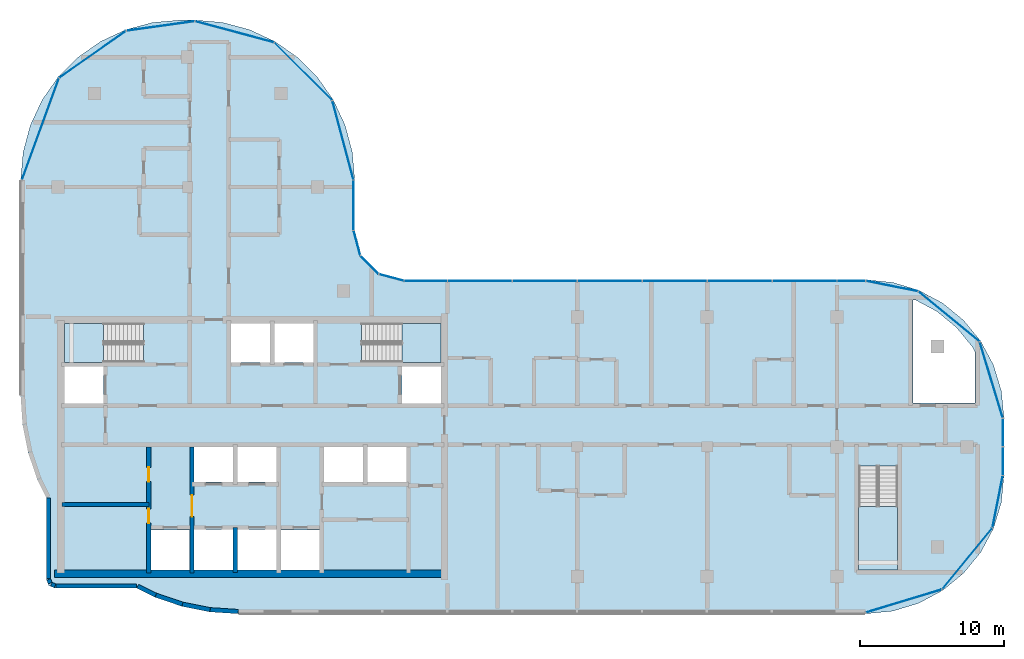
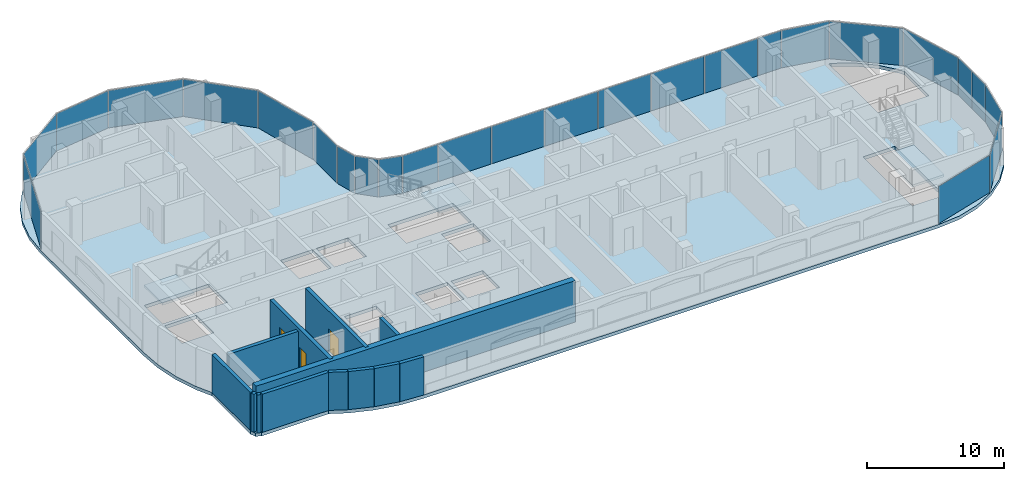
# One storey, part 8 of 18: 26 plates, 13 walls, 4 slabs, 3 doors, 3 openings, 10 elements without a shape of their own.
"""IFC4 building model written with IfcOpenShell, lengths in metres."""

from ifc_helpers import new_model, si_unit, direction, frame, frame_2d, origin, origin_2d, place, context, subcontext, project, spatial, polyline, rectangle, outline, extrude, material, layer, layer_set, type_object, element, fill, aggregate, save


model = new_model("IFC4")

# Units and contexts
model_context = context("Model", 3, precision=1e-05, world=origin(), true_north=direction((0.0, 1.0)))
body_context = subcontext(model_context, "Body", "Model", "MODEL_VIEW")
ifc_project = project(units=[si_unit("LENGTHUNIT", "METRE"), si_unit("AREAUNIT", "SQUARE_METRE"), si_unit("VOLUMEUNIT", "CUBIC_METRE"), si_unit("PLANEANGLEUNIT", "RADIAN"), si_unit("MASSUNIT", "GRAM", prefix="KILO")], contexts=[model_context])

# Site, building, storey
site_placement = place(None, origin())
site = spatial("IfcSite", under=ifc_project, at=site_placement, CompositionType="ELEMENT")
building_placement = place(site_placement, origin())
building = spatial("IfcBuilding", under=site, at=building_placement, Name="Ogive Portal Towers", CompositionType="ELEMENT")
storey_placement = place(building_placement, frame((0.0, 0.0, 240.199951171875)))
storey = spatial("IfcBuildingStorey", under=building, at=storey_placement, Name="L60", CompositionType="ELEMENT", Elevation=240.199951171875)

# Curtain wall, plates
ifc_material_1 = material(Name="Glass, clear low-iron insulated glazing", Category="glass")
curtain_wall_type = type_object("IfcCurtainWallType", Name="CW FRONT RIBBON 4500", PredefinedType="NOTDEFINED", material=ifc_material_1)
curtain_wall_1_placement = place(storey_placement, origin())
curtain_wall_1 = element("IfcCurtainWall", 1, at=curtain_wall_1_placement, inside=storey, type_object=curtain_wall_type, Name="A:L60:f12:cw0", PredefinedType="NOTDEFINED")
ifc_layer_1 = layer(ifc_material_1, 0.028076171875)
ifc_layer_set_1 = layer_set([ifc_layer_1], Name="CW PANEL IGU 28")
plate_type = type_object("IfcPlateType", Name="CW PANEL IGU 28", PredefinedType="CURTAIN_PANEL", material=ifc_layer_set_1)
plate_1_placement = place(storey_placement, frame((96.9951171875, 29.50390625, 0.0), z_axis=(0.0, 0.0, 1.0), x_axis=(0.0, 1.0, 0.0)))
plate_1 = element("IfcPlate", 2, at=plate_1_placement, type_object=plate_type, Name="panel", PredefinedType="CURTAIN_PANEL", context=body_context, shape_type="SweptSolid", body=[
    extrude(rectangle(XDim=1.93212890625, YDim=0.028076171875, at=origin_2d()), origin(), (0.0, 0.0, 1.0), 3.340087890625),
])
plate_2_placement = place(storey_placement, frame((96.9951171875, 31.494140625, 0.0), z_axis=(0.0, 0.0, 1.0), x_axis=(0.0, 1.0, 0.0)))
plate_2 = element("IfcPlate", 3, at=plate_2_placement, type_object=plate_type, Name="panel", PredefinedType="CURTAIN_PANEL", context=body_context, shape_type="SweptSolid", body=[
    extrude(rectangle(XDim=1.92822265625, YDim=0.028076171875, at=origin_2d()), origin(), (0.0, 0.0, 1.0), 3.340087890625),
])
aggregate(curtain_wall_1, [plate_1, plate_2])

curtain_wall_2_placement = place(storey_placement, origin())
curtain_wall_2 = element("IfcCurtainWall", 4, at=curtain_wall_2_placement, inside=storey, type_object=curtain_wall_type, Name="A:L60:f16:cw0", PredefinedType="NOTDEFINED")
plate_3_placement = place(storey_placement, frame((86.49609375, 41.9951171875, 0.0), z_axis=(0.0, 0.0, 1.0), x_axis=(-1.0, 0.0, 0.0)))
plate_3 = element("IfcPlate", 5, at=plate_3_placement, type_object=plate_type, Name="panel", PredefinedType="CURTAIN_PANEL", context=body_context, shape_type="SweptSolid", body=[
    extrude(rectangle(XDim=1.93212890625, YDim=0.028076171875, at=origin_2d()), origin(), (0.0, 0.0, 1.0), 3.340087890625),
])
plate_4_placement = place(storey_placement, frame((83.25, 41.9951171875, 0.0), z_axis=(0.0, 0.0, 1.0), x_axis=(-1.0, 0.0, 0.0)))
plate_4 = element("IfcPlate", 6, at=plate_4_placement, type_object=plate_type, Name="panel", PredefinedType="CURTAIN_PANEL", context=body_context, shape_type="SweptSolid", body=[
    extrude(rectangle(XDim=4.43994140625, YDim=0.028076171875, at=origin_2d()), origin(), (0.0, 0.0, 1.0), 3.340087890625),
])
plate_5_placement = place(storey_placement, frame((78.75, 41.9951171875, 0.0), z_axis=(0.0, 0.0, 1.0), x_axis=(-1.0, 0.0, 0.0)))
plate_5 = element("IfcPlate", 7, at=plate_5_placement, type_object=plate_type, Name="panel", PredefinedType="CURTAIN_PANEL", context=body_context, shape_type="SweptSolid", body=[
    extrude(rectangle(XDim=4.43994140625, YDim=0.028076171875, at=origin_2d()), origin(), (0.0, 0.0, 1.0), 3.340087890625),
])
plate_6_placement = place(storey_placement, frame((74.25, 41.9951171875, 0.0), z_axis=(0.0, 0.0, 1.0), x_axis=(-1.0, 0.0, 0.0)))
plate_6 = element("IfcPlate", 8, at=plate_6_placement, type_object=plate_type, Name="panel", PredefinedType="CURTAIN_PANEL", context=body_context, shape_type="SweptSolid", body=[
    extrude(rectangle(XDim=4.43994140625, YDim=0.028076171875, at=origin_2d()), origin(), (0.0, 0.0, 1.0), 3.340087890625),
])
plate_7_placement = place(storey_placement, frame((69.75, 41.9951171875, 0.0), z_axis=(0.0, 0.0, 1.0), x_axis=(-1.0, 0.0, 0.0)))
plate_7 = element("IfcPlate", 9, at=plate_7_placement, type_object=plate_type, Name="panel", PredefinedType="CURTAIN_PANEL", context=body_context, shape_type="SweptSolid", body=[
    extrude(rectangle(XDim=4.43994140625, YDim=0.028076171875, at=origin_2d()), origin(), (0.0, 0.0, 1.0), 3.340087890625),
])
plate_8_placement = place(storey_placement, frame((65.25, 41.9951171875, 0.0), z_axis=(0.0, 0.0, 1.0), x_axis=(-1.0, 0.0, 0.0)))
plate_8 = element("IfcPlate", 10, at=plate_8_placement, type_object=plate_type, Name="panel", PredefinedType="CURTAIN_PANEL", context=body_context, shape_type="SweptSolid", body=[
    extrude(rectangle(XDim=4.43994140625, YDim=0.028076171875, at=origin_2d()), origin(), (0.0, 0.0, 1.0), 3.340087890625),
])
plate_9_placement = place(storey_placement, frame((60.75, 41.9951171875, 0.0), z_axis=(0.0, 0.0, 1.0), x_axis=(-1.0, 0.0, 0.0)))
plate_9 = element("IfcPlate", 11, at=plate_9_placement, type_object=plate_type, Name="panel", PredefinedType="CURTAIN_PANEL", context=body_context, shape_type="SweptSolid", body=[
    extrude(rectangle(XDim=4.43994140625, YDim=0.028076171875, at=origin_2d()), origin(), (0.0, 0.0, 1.0), 3.340087890625),
])
plate_10_placement = place(storey_placement, frame((56.99462890625, 41.9951171875, 0.0), z_axis=(0.0, 0.0, 1.0), x_axis=(-1.0, 0.0, 0.0)))
plate_10 = element("IfcPlate", 12, at=plate_10_placement, type_object=plate_type, Name="panel", PredefinedType="CURTAIN_PANEL", context=body_context, shape_type="SweptSolid", body=[
    extrude(rectangle(XDim=2.950439453125, YDim=0.028076171875, at=origin_2d()), origin(), (0.0, 0.0, 1.0), 3.340087890625),
])
aggregate(curtain_wall_2, [plate_3, plate_4, plate_5, plate_6, plate_7, plate_8, plate_9, plate_10])

# Curtain wall, plate
curtain_wall_3_placement = place(storey_placement, origin())
curtain_wall_3 = element("IfcCurtainWall", 13, at=curtain_wall_3_placement, inside=storey, type_object=curtain_wall_type, Name="A:L60:f20:cw0", PredefinedType="NOTDEFINED")
plate_11_placement = place(storey_placement, frame((51.9951171875, 47.239501953125, 0.0), z_axis=(0.0, 0.0, 1.0), x_axis=(0.0, 1.0, 0.0)))
plate_11 = element("IfcPlate", 14, at=plate_11_placement, type_object=plate_type, Name="panel", PredefinedType="CURTAIN_PANEL", context=body_context, shape_type="SweptSolid", body=[
    extrude(rectangle(XDim=3.43994140625, YDim=0.028076171875, at=origin_2d()), origin(), (0.0, 0.0, 1.0), 3.340087890625),
])
aggregate(curtain_wall_3, [plate_11])

# Curtain wall, plates
curtain_wall_4_placement = place(storey_placement, origin())
curtain_wall_4 = element("IfcCurtainWall", 15, at=curtain_wall_4_placement, inside=storey, type_object=curtain_wall_type, Name="A:L60:f09:cwa", PredefinedType="NOTDEFINED")
plate_12_placement = place(storey_placement, frame((90.130615234375, 19.806640625, 0.0), z_axis=(0.0, 0.0, 1.0), x_axis=(0.956940335732, 0.290284677254, 0.0)))
plate_12 = element("IfcPlate", 16, at=plate_12_placement, type_object=plate_type, Name="panel", PredefinedType="CURTAIN_PANEL", context=body_context, shape_type="SweptSolid", body=[
    extrude(rectangle(XDim=5.462890625, YDim=0.028076171875, at=origin_2d()), origin(), (0.0, 0.0, 1.0), 3.340087890625),
])
plate_13_placement = place(storey_placement, frame((94.5224609375, 22.73974609375, 0.0), z_axis=(0.0, 0.0, 1.0), x_axis=(0.634393284164, 0.773010453363, 0.0)))
plate_13 = element("IfcPlate", 17, at=plate_13_placement, type_object=plate_type, Name="panel", PredefinedType="CURTAIN_PANEL", context=body_context, shape_type="SweptSolid", body=[
    extrude(rectangle(XDim=5.45458984375, YDim=0.028076171875, at=origin_2d()), origin(), (0.0, 0.0, 1.0), 3.340087890625),
])
plate_14_placement = place(storey_placement, frame((96.63330078125, 26.689453125, 0.0), z_axis=(0.0, 0.0, 1.0), x_axis=(0.195090322016, 0.980785280403, 0.0)))
plate_14 = element("IfcPlate", 18, at=plate_14_placement, type_object=plate_type, Name="panel", PredefinedType="CURTAIN_PANEL", context=body_context, shape_type="SweptSolid", body=[
    extrude(rectangle(XDim=3.64794921875, YDim=0.028076171875, at=origin_2d()), origin(), (0.0, 0.0, 1.0), 3.340087890625),
])
aggregate(curtain_wall_4, [plate_12, plate_13, plate_14])

curtain_wall_5_placement = place(storey_placement, origin())
curtain_wall_5 = element("IfcCurtainWall", 19, at=curtain_wall_5_placement, inside=storey, type_object=curtain_wall_type, Name="A:L60:f13:cwa", PredefinedType="NOTDEFINED")
plate_15_placement = place(storey_placement, frame((96.193359375, 35.130615234375, 0.0), z_axis=(0.0, 0.0, 1.0), x_axis=(-0.290284677254, 0.956940335732, 0.0)))
plate_15 = element("IfcPlate", 20, at=plate_15_placement, type_object=plate_type, Name="panel", PredefinedType="CURTAIN_PANEL", context=body_context, shape_type="SweptSolid", body=[
    extrude(rectangle(XDim=5.462890625, YDim=0.028076171875, at=origin_2d()), origin(), (0.0, 0.0, 1.0), 3.340087890625),
])
plate_16_placement = place(storey_placement, frame((93.26025390625, 39.5224609375, 0.0), z_axis=(0.0, 0.0, 1.0), x_axis=(-0.773010453363, 0.634393284164, 0.0)))
plate_16 = element("IfcPlate", 21, at=plate_16_placement, type_object=plate_type, Name="panel", PredefinedType="CURTAIN_PANEL", context=body_context, shape_type="SweptSolid", body=[
    extrude(rectangle(XDim=5.45458984375, YDim=0.028076171875, at=origin_2d()), origin(), (0.0, 0.0, 1.0), 3.340087890625),
])
plate_17_placement = place(storey_placement, frame((89.310546875, 41.63330078125, 0.0), z_axis=(0.0, 0.0, 1.0), x_axis=(-0.980785280403, 0.195090322016, 0.0)))
plate_17 = element("IfcPlate", 22, at=plate_17_placement, type_object=plate_type, Name="panel", PredefinedType="CURTAIN_PANEL", context=body_context, shape_type="SweptSolid", body=[
    extrude(rectangle(XDim=3.64794921875, YDim=0.028076171875, at=origin_2d()), origin(), (0.0, 0.0, 1.0), 3.340087890625),
])
aggregate(curtain_wall_5, [plate_15, plate_16, plate_17])

curtain_wall_6_placement = place(storey_placement, origin())
curtain_wall_6 = element("IfcCurtainWall", 23, at=curtain_wall_6_placement, inside=storey, type_object=curtain_wall_type, Name="A:L60:f17:cwa", PredefinedType="NOTDEFINED")
plate_18_placement = place(storey_placement, frame((54.61767578125, 42.228515625, 0.0), z_axis=(0.0, 0.0, 1.0), x_axis=(-0.965925826289, 0.258819045103, 0.0)))
plate_18 = element("IfcPlate", 24, at=plate_18_placement, type_object=plate_type, Name="panel", PredefinedType="CURTAIN_PANEL", context=body_context, shape_type="SweptSolid", body=[
    extrude(rectangle(XDim=1.744873046875, YDim=0.028076171875, at=origin_2d()), origin(), (0.0, 0.0, 1.0), 3.340087890625),
])
plate_19_placement = place(storey_placement, frame((53.10400390625, 43.10400390625, 0.0), z_axis=(0.0, 0.0, 1.0), x_axis=(-0.707106781187, 0.707106781187, 0.0)))
plate_19 = element("IfcPlate", 25, at=plate_19_placement, type_object=plate_type, Name="panel", PredefinedType="CURTAIN_PANEL", context=body_context, shape_type="SweptSolid", body=[
    extrude(rectangle(XDim=1.755859375, YDim=0.028076171875, at=origin_2d()), origin(), (0.0, 0.0, 1.0), 3.340087890625),
])
plate_20_placement = place(storey_placement, frame((52.228515625, 44.61767578125, 0.0), z_axis=(0.0, 0.0, 1.0), x_axis=(-0.258819045103, 0.965925826289, 0.0)))
plate_20 = element("IfcPlate", 26, at=plate_20_placement, type_object=plate_type, Name="panel", PredefinedType="CURTAIN_PANEL", context=body_context, shape_type="SweptSolid", body=[
    extrude(rectangle(XDim=1.744873046875, YDim=0.028076171875, at=origin_2d()), origin(), (0.0, 0.0, 1.0), 3.340087890625),
])
aggregate(curtain_wall_6, [plate_18, plate_19, plate_20])

curtain_wall_7_placement = place(storey_placement, origin())
curtain_wall_7 = element("IfcCurtainWall", 27, at=curtain_wall_7_placement, inside=storey, type_object=curtain_wall_type, Name="A:L60:f21:cwa", PredefinedType="NOTDEFINED")
plate_21_placement = place(storey_placement, frame((51.25732421875, 51.74267578125, 0.0), z_axis=(0.0, 0.0, 1.0), x_axis=(-0.258819045103, 0.965925826289, 0.0)))
plate_21 = element("IfcPlate", 28, at=plate_21_placement, type_object=plate_type, Name="panel", PredefinedType="CURTAIN_PANEL", context=body_context, shape_type="SweptSolid", body=[
    extrude(rectangle(XDim=5.640869140625, YDim=0.028076171875, at=origin_2d()), origin(), (0.0, 0.0, 1.0), 3.340087890625),
])
plate_22_placement = place(storey_placement, frame((48.5078125, 56.5078125, 0.0), z_axis=(0.0, 0.0, 1.0), x_axis=(-0.707106781187, 0.707106781187, 0.0)))
plate_22 = element("IfcPlate", 29, at=plate_22_placement, type_object=plate_type, Name="panel", PredefinedType="CURTAIN_PANEL", context=body_context, shape_type="SweptSolid", body=[
    extrude(rectangle(XDim=5.6298828125, YDim=0.028076171875, at=origin_2d()), origin(), (0.0, 0.0, 1.0), 3.340087890625),
])
plate_23_placement = place(storey_placement, frame((43.74560546875, 59.256591796875, 0.0), z_axis=(0.0, 0.0, 1.0), x_axis=(-0.965925826289, 0.258819045103, 0.0)))
plate_23 = element("IfcPlate", 30, at=plate_23_placement, type_object=plate_type, Name="panel", PredefinedType="CURTAIN_PANEL", context=body_context, shape_type="SweptSolid", body=[
    extrude(rectangle(XDim=5.63525390625, YDim=0.028076171875, at=origin_2d()), origin(), (0.0, 0.0, 1.0), 3.340087890625),
])
plate_24_placement = place(storey_placement, frame((38.61865234375, 59.662109375, 0.0), z_axis=(0.0, 0.0, 1.0), x_axis=(-0.990409738761, -0.138161316467, 0.0)))
plate_24 = element("IfcPlate", 31, at=plate_24_placement, type_object=plate_type, Name="panel", PredefinedType="CURTAIN_PANEL", context=body_context, shape_type="SweptSolid", body=[
    extrude(rectangle(XDim=4.73876953125, YDim=0.028076171875, at=origin_2d()), origin(), (0.0, 0.0, 1.0), 3.340087890625),
])
plate_25_placement = place(storey_placement, frame((33.912353515625, 57.69921875, 0.0), z_axis=(0.0, 0.0, 1.0), x_axis=(-0.819152044289, -0.573576436351, 0.0)))
plate_25 = element("IfcPlate", 32, at=plate_25_placement, type_object=plate_type, Name="panel", PredefinedType="CURTAIN_PANEL", context=body_context, shape_type="SweptSolid", body=[
    extrude(rectangle(XDim=5.62841796875, YDim=0.028076171875, at=origin_2d()), origin(), (0.0, 0.0, 1.0), 3.340087890625),
])
plate_26_placement = place(storey_placement, frame((30.293701171875, 52.52685546875, 0.0), z_axis=(0.0, 0.0, 1.0), x_axis=(-0.342020143326, -0.939692620786, 0.0)))
plate_26 = element("IfcPlate", 33, at=plate_26_placement, type_object=plate_type, Name="panel", PredefinedType="CURTAIN_PANEL", context=body_context, shape_type="SweptSolid", body=[
    extrude(rectangle(XDim=7.476318359375, YDim=0.028076171875, at=origin_2d()), origin(), (0.0, 0.0, 1.0), 3.340087890625),
])
aggregate(curtain_wall_7, [plate_21, plate_22, plate_23, plate_24, plate_25, plate_26])

# Stair, slab
ifc_material_2 = material(Name="Concrete C40/50", Category="concrete")
stair_type = type_object("IfcStairType", Name="INT-STAIR", PredefinedType="HALF_TURN_STAIR", material=ifc_material_2)
stair_1_placement = place(storey_placement, origin())
stair_1 = element("IfcStair", 34, at=stair_1_placement, inside=storey, type_object=stair_type, Name="L60 Exit Stair ST-A1", PredefinedType="HALF_TURN_STAIR")
ifc_layer_2 = layer(ifc_material_2, 0.199951171875)
ifc_layer_set_2 = layer_set([ifc_layer_2], Name="INT-LANDING")
slab_type_1 = type_object("IfcSlabType", Name="INT-LANDING", PredefinedType="LANDING", material=ifc_layer_set_2)
slab_1_placement = place(storey_placement, frame((0.0, 0.0, 1.650146484375)))
slab_1 = element("IfcSlab", 35, at=slab_1_placement, type_object=slab_type_1, Name="ST-A1 landing 1", PredefinedType="LANDING", context=body_context, shape_type="SweptSolid", body=[
    extrude(outline(polyline([(34.64990234375, 39.050048828125), (31.949951171875, 39.050048828125), (31.949951171875, 36.35009765625), (34.64990234375, 36.35009765625), (34.64990234375, 39.050048828125)])), origin(), (0.0, 0.0, 1.0), 0.199951171875),
])
aggregate(stair_1, [slab_1])

stair_2_placement = place(storey_placement, origin())
stair_2 = element("IfcStair", 36, at=stair_2_placement, inside=storey, type_object=stair_type, Name="L60 Exit Stair ST-A2", PredefinedType="HALF_TURN_STAIR")
slab_2_placement = place(storey_placement, frame((0.0, 0.0, 1.650146484375)))
slab_2 = element("IfcSlab", 37, at=slab_2_placement, type_object=slab_type_1, Name="ST-A2 landing 1", PredefinedType="LANDING", context=body_context, shape_type="SweptSolid", body=[
    extrude(outline(polyline([(55.35009765625, 36.35009765625), (58.050048828125, 36.35009765625), (58.050048828125, 39.050048828125), (55.35009765625, 39.050048828125), (55.35009765625, 36.35009765625)])), origin(), (0.0, 0.0, 1.0), 0.199951171875),
])
aggregate(stair_2, [slab_2])

stair_3_placement = place(storey_placement, origin())
stair_3 = element("IfcStair", 38, at=stair_3_placement, inside=storey, type_object=stair_type, Name="L60 Exit Stair ST-A4", PredefinedType="HALF_TURN_STAIR")
slab_3_placement = place(storey_placement, frame((0.0, 0.0, 1.650146484375)))
slab_3 = element("IfcSlab", 39, at=slab_3_placement, type_object=slab_type_1, Name="ST-A4 landing 1", PredefinedType="LANDING", context=body_context, shape_type="SweptSolid", body=[
    extrude(outline(polyline([(87.0, 26.3701171875), (87.0, 21.949951171875), (89.699951171875, 21.949951171875), (89.699951171875, 26.3701171875), (87.0, 26.3701171875)])), origin(), (0.0, 0.0, 1.0), 0.199951171875),
])
aggregate(stair_3, [slab_3])

# Slab
ifc_material_3 = material(Name="Concrete C45/55", Category="concrete")
ifc_layer_3 = layer(ifc_material_3, 0.300048828125)
ifc_layer_set_3 = layer_set([ifc_layer_3], Name="PT FLAT PLATE 300")
slab_type_2 = type_object("IfcSlabType", Name="PT FLAT PLATE 300", PredefinedType="FLOOR", material=ifc_layer_set_3)
slab_4_placement = place(storey_placement, frame((0.0, 0.0, -0.300048828125)))
element("IfcSlab", 40, at=slab_4_placement, inside=storey, type_object=slab_type_2, Name="Floor slab L60", PredefinedType="FLOOR", context=body_context, shape_type="SweptSolid", body=[
    extrude(outline(polyline([(29.438720703125, 30.098388671875), (30.072509765625, 28.23095703125), (30.699951171875, 26.95849609375), (30.699951171875, 21.300048828125), (30.875732421875, 20.875732421875), (31.300048828125, 20.699951171875), (36.95849609375, 20.699951171875), (38.23095703125, 20.072509765625), (40.098388671875, 19.438720703125), (42.0322265625, 19.053955078125), (44.0, 18.925048828125), (87.5, 18.925048828125), (89.367919921875, 19.10888671875), (91.164306640625, 19.65380859375), (92.819580078125, 20.538818359375), (94.2705078125, 21.7294921875), (95.461181640625, 23.180419921875), (96.34619140625, 24.835693359375), (96.89111328125, 26.632080078125), (97.074951171875, 28.5), (97.074951171875, 32.5), (96.89111328125, 34.367919921875), (96.34619140625, 36.164306640625), (95.461181640625, 37.819580078125), (94.2705078125, 39.2705078125), (92.819580078125, 40.461181640625), (91.164306640625, 41.34619140625), (89.367919921875, 41.89111328125), (87.5, 42.074951171875), (55.5, 42.074951171875), (53.78759765625, 42.533935546875), (52.533935546875, 43.78759765625), (52.074951171875, 45.5), (52.074951171875, 49.0), (51.90673828125, 50.923095703125), (51.406982421875, 52.787841796875), (50.59130859375, 54.53759765625), (49.48388671875, 56.118896484375), (48.118896484375, 57.48388671875), (46.53759765625, 58.59130859375), (44.787841796875, 59.406982421875), (42.923095703125, 59.90673828125), (41.0, 60.074951171875), (40.0, 60.074951171875), (38.076904296875, 59.90673828125), (36.212158203125, 59.406982421875), (34.46240234375, 58.59130859375), (32.881103515625, 57.48388671875), (31.51611328125, 56.118896484375), (30.40869140625, 54.53759765625), (29.593017578125, 52.787841796875), (29.09326171875, 50.923095703125), (28.925048828125, 49.0), (28.925048828125, 34.0), (29.053955078125, 32.0322265625), (29.438720703125, 30.098388671875)]), holes=[polyline([(40.6298828125, 21.969970703125), (37.969970703125, 21.969970703125), (37.969970703125, 24.72998046875), (40.6298828125, 24.72998046875), (40.6298828125, 21.969970703125)]), polyline([(43.64990234375, 24.75), (43.64990234375, 21.949951171875), (40.949951171875, 21.949951171875), (40.949951171875, 24.75), (43.64990234375, 24.75)]), polyline([(46.64990234375, 24.75), (46.64990234375, 21.949951171875), (43.949951171875, 21.949951171875), (43.949951171875, 24.75), (46.64990234375, 24.75)]), polyline([(43.64990234375, 30.5), (43.64990234375, 28.050048828125), (40.949951171875, 28.050048828125), (40.949951171875, 30.5), (43.64990234375, 30.5)]), polyline([(46.64990234375, 30.5), (46.64990234375, 28.050048828125), (43.949951171875, 28.050048828125), (43.949951171875, 30.5), (46.64990234375, 30.5)]), polyline([(34.64990234375, 36.050048828125), (34.64990234375, 33.5), (31.949951171875, 33.5), (31.949951171875, 36.050048828125), (34.64990234375, 36.050048828125)]), polyline([(31.951904296875, 39.048095703125), (37.447998046875, 39.048095703125), (37.447998046875, 36.35205078125), (31.951904296875, 36.35205078125), (31.951904296875, 39.048095703125)]), polyline([(46.199951171875, 39.050048828125), (46.199951171875, 36.35009765625), (43.5, 36.35009765625), (43.5, 39.050048828125), (46.199951171875, 39.050048828125)]), polyline([(49.6298828125, 21.969970703125), (46.969970703125, 21.969970703125), (46.969970703125, 24.72998046875), (49.6298828125, 24.72998046875), (49.6298828125, 21.969970703125)]), polyline([(87.001953125, 21.951904296875), (87.001953125, 29.16796875), (89.697998046875, 29.16796875), (89.697998046875, 21.951904296875), (87.001953125, 21.951904296875)]), polyline([(52.64990234375, 30.5), (52.64990234375, 28.050048828125), (49.949951171875, 28.050048828125), (49.949951171875, 30.5), (52.64990234375, 30.5)]), polyline([(55.64990234375, 30.5), (55.64990234375, 28.050048828125), (52.949951171875, 28.050048828125), (52.949951171875, 30.5), (55.64990234375, 30.5)]), polyline([(58.050048828125, 36.050048828125), (58.050048828125, 33.5), (55.35009765625, 33.5), (55.35009765625, 36.050048828125), (58.050048828125, 36.050048828125)]), polyline([(93.773193359375, 38.773193359375), (94.87646484375, 37.4287109375), (95.080078125, 37.048095703125), (95.080078125, 33.52001953125), (90.77001953125, 33.52001953125), (90.77001953125, 40.679931640625), (90.925537109375, 40.679931640625), (92.4287109375, 39.87646484375), (93.773193359375, 38.773193359375)]), polyline([(49.199951171875, 39.050048828125), (49.199951171875, 36.35009765625), (46.5, 36.35009765625), (46.5, 39.050048828125), (49.199951171875, 39.050048828125)]), polyline([(58.048095703125, 36.35205078125), (52.552001953125, 36.35205078125), (52.552001953125, 39.048095703125), (58.048095703125, 39.048095703125), (58.048095703125, 36.35205078125)])]), origin(), (0.0, 0.0, 1.0), 0.300048828125),
])

# Wall, openings, doors
ifc_material_4 = material(Name="Concrete C60/75", Category="concrete")
ifc_layer_4 = layer(ifc_material_4, 0.300048828125)
ifc_layer_set_4 = layer_set([ifc_layer_4], Name="CORE WALL 300 C60")
wall_type_1 = type_object("IfcWallType", Name="CORE WALL 300 C60", PredefinedType="SHEAR", material=ifc_layer_set_4)
wall_1_placement = place(storey_placement, frame((37.800048828125, 21.75, 0.0), z_axis=(0.0, 0.0, 1.0), x_axis=(0.0, 1.0, 0.0)))
wall_1 = element("IfcWall", 41, at=wall_1_placement, inside=storey, type_object=wall_type_1, Name="Core wall X1 L60", PredefinedType="SHEAR", context=body_context, shape_type="SweptSolid", body=[
    extrude(rectangle(XDim=8.75, YDim=0.300048828125, at=frame_2d((4.375, 0.0))), origin(), (0.0, 0.0, 1.0), 3.699951171875),
])
opening_1_placement = place(wall_1_placement, frame((6.324951171875, 0.0, 0.0)))
opening_1 = element("IfcOpeningElement", 42, at=opening_1_placement, cuts=wall_1, Name="Opening D26-021", PredefinedType="OPENING", context=body_context, shape_type="SweptSolid", body=[
    extrude(rectangle(XDim=1.0, YDim=2.10009765625, at=frame_2d((0.5, 1.050048828125))), frame((0.0, 0.16015625, 0.0), z_axis=(0.0, -1.0, 0.0), x_axis=(1.0, 0.0, 0.0)), (0.0, 0.0, 1.0), 0.320068359375),
])
opening_2_placement = place(wall_1_placement, frame((3.449951171875, 0.0, 0.0)))
opening_2 = element("IfcOpeningElement", 43, at=opening_2_placement, cuts=wall_1, Name="Opening D26-022", PredefinedType="OPENING", context=body_context, shape_type="SweptSolid", body=[
    extrude(rectangle(XDim=1.0, YDim=2.10009765625, at=frame_2d((0.5, 1.050048828125))), frame((0.0, 0.16015625, 0.0), z_axis=(0.0, -1.0, 0.0), x_axis=(1.0, 0.0, 0.0)), (0.0, 0.0, 1.0), 0.320068359375),
])
ifc_material_5 = material(Name="Steel fire door", Category="steel")
door_type_1 = type_object("IfcDoorType", Name="DT-SWING-1000x2100-FD90S", OperationType="SINGLE_SWING_LEFT", PredefinedType="DOOR", material=ifc_material_5)
door_1_placement = place(opening_1_placement, origin())
door_1 = element("IfcDoor", 44, at=door_1_placement, inside=storey, type_object=door_type_1, Name="Door D26-021", OperationType="SINGLE_SWING_LEFT", OverallHeight=2.10009765625, OverallWidth=1.0, PredefinedType="DOOR", context=body_context, shape_type="SweptSolid", body=[
    extrude(rectangle(XDim=1.0, YDim=2.10009765625, at=frame_2d((0.5, 1.050048828125))), frame((0.0, 0.02490234375, 0.0), z_axis=(0.0, -1.0, 0.0), x_axis=(1.0, 0.0, 0.0)), (0.0, 0.0, 1.0), 0.050048828125),
])
fill(opening_1, door_1)
door_2_placement = place(opening_2_placement, origin())
door_2 = element("IfcDoor", 45, at=door_2_placement, inside=storey, type_object=door_type_1, Name="Door D26-022", OperationType="SINGLE_SWING_RIGHT", OverallHeight=2.10009765625, OverallWidth=1.0, PredefinedType="DOOR", context=body_context, shape_type="SweptSolid", body=[
    extrude(rectangle(XDim=1.0, YDim=2.10009765625, at=frame_2d((0.5, 1.050048828125))), frame((0.0, 0.02490234375, 0.0), z_axis=(0.0, -1.0, 0.0), x_axis=(1.0, 0.0, 0.0)), (0.0, 0.0, 1.0), 0.050048828125),
])
fill(opening_2, door_2)

# Wall, opening, door
wall_2_placement = place(storey_placement, frame((40.800048828125, 21.75, 0.0), z_axis=(0.0, 0.0, 1.0), x_axis=(0.0, 1.0, 0.0)))
wall_2 = element("IfcWall", 46, at=wall_2_placement, inside=storey, type_object=wall_type_1, Name="Core wall X2 L60", PredefinedType="SHEAR", context=body_context, shape_type="SweptSolid", body=[
    extrude(rectangle(XDim=8.75, YDim=0.300048828125, at=frame_2d((4.375, 0.0))), origin(), (0.0, 0.0, 1.0), 3.699951171875),
])
opening_3_placement = place(wall_2_placement, frame((3.89990234375, 0.0, 0.0)))
opening_3 = element("IfcOpeningElement", 47, at=opening_3_placement, cuts=wall_2, Name="Opening D26-001", PredefinedType="OPENING", context=body_context, shape_type="SweptSolid", body=[
    extrude(rectangle(XDim=1.5, YDim=2.10009765625, at=frame_2d((0.75, 1.050048828125))), frame((0.0, 0.16015625, 0.0), z_axis=(0.0, -1.0, 0.0), x_axis=(1.0, 0.0, 0.0)), (0.0, 0.0, 1.0), 0.320068359375),
])
door_type_2 = type_object("IfcDoorType", Name="DT-SWING-1500x2100-FD90S", OperationType="SINGLE_SWING_LEFT", PredefinedType="DOOR", material=ifc_material_5)
door_3_placement = place(opening_3_placement, origin())
door_3 = element("IfcDoor", 48, at=door_3_placement, inside=storey, type_object=door_type_2, Name="Door D26-001", OperationType="SINGLE_SWING_RIGHT", OverallHeight=2.10009765625, OverallWidth=1.5, PredefinedType="DOOR", context=body_context, shape_type="SweptSolid", body=[
    extrude(rectangle(XDim=1.5, YDim=2.10009765625, at=frame_2d((0.75, 1.050048828125))), frame((0.0, 0.02490234375, 0.0), z_axis=(0.0, -1.0, 0.0), x_axis=(1.0, 0.0, 0.0)), (0.0, 0.0, 1.0), 0.050048828125),
])
fill(opening_3, door_3)

# Walls
ifc_layer_5 = layer(ifc_material_4, 0.5)
ifc_layer_set_5 = layer_set([ifc_layer_5], Name="CORE WALL 500 C60")
wall_type_2 = type_object("IfcWallType", Name="CORE WALL 500 C60", PredefinedType="SHEAR", material=ifc_layer_set_5)
wall_3_placement = place(storey_placement, frame((31.25, 21.699951171875, 0.0), z_axis=(0.0, 0.0, 1.0), x_axis=(1.0, 0.0, 0.0)))
element("IfcWall", 49, at=wall_3_placement, inside=storey, type_object=wall_type_2, Name="Core wall S L60", PredefinedType="SHEAR", context=body_context, shape_type="SweptSolid", body=[
    extrude(rectangle(XDim=27.0, YDim=0.5, at=frame_2d((13.5, 0.0))), origin(), (0.0, 0.0, 1.0), 3.699951171875),
])
ifc_material_6 = material(Name="Limestone cladding on lightweight block wall", Category="masonry")
ifc_layer_6 = layer(ifc_material_6, 0.300048828125)
ifc_layer_set_6 = layer_set([ifc_layer_6], Name="EXTERNAL WALL 300 STONE")
wall_type_3 = type_object("IfcWallType", Name="EXTERNAL WALL 300 STONE", PredefinedType="SOLIDWALL", material=ifc_layer_set_6)
wall_4_placement = place(storey_placement, frame((30.85009765625, 26.958740234375, 0.0), z_axis=(0.0, 0.0, 1.0), x_axis=(0.0, -1.0, 0.0)))
element("IfcWall", 50, at=wall_4_placement, inside=storey, type_object=wall_type_3, Name="A:L60:f00:r0:wall", PredefinedType="SOLIDWALL", context=body_context, shape_type="SweptSolid", body=[
    extrude(rectangle(XDim=5.59912109375, YDim=0.300048828125, at=frame_2d((2.799560546875, 0.0))), origin(), (0.0, 0.0, 1.0), 3.400146484375),
])
for number, where, z_axis, x_axis, name in (
    (51, (30.861328125, 21.30224609375, 0.0), (0.0, 0.0, 1.0), (0.38297812142, -0.923757413239, 0.0), "A:L60:f01:r0:wall"),
    (52, (31.0478515625, 20.966796875, 0.0), (0.0, 0.0, 1.0), (0.923757413239, -0.38297812142, 0.0), "A:L60:f02:r0:wall"),
):
    element("IfcWall", number, at=place(storey_placement, frame(where, z_axis=z_axis, x_axis=x_axis)), inside=storey, type_object=wall_type_3, Name=name, PredefinedType="SOLIDWALL", context=body_context, shape_type="SweptSolid", body=[
        extrude(rectangle(XDim=0.275390625, YDim=0.300048828125, at=frame_2d((0.1376953125, 0.0))), origin(), (0.0, 0.0, 1.0), 3.400146484375),
    ])
wall_5_placement = place(storey_placement, frame((31.359619140625, 20.85009765625, 0.0), z_axis=(0.0, 0.0, 1.0), x_axis=(1.0, 0.0, 0.0)))
element("IfcWall", 53, at=wall_5_placement, inside=storey, type_object=wall_type_3, Name="A:L60:f03:r0:wall", PredefinedType="SOLIDWALL", context=body_context, shape_type="SweptSolid", body=[
    extrude(rectangle(XDim=5.59912109375, YDim=0.300048828125, at=frame_2d((2.799560546875, 0.0))), origin(), (0.0, 0.0, 1.0), 3.400146484375),
])
wall_6_placement = place(storey_placement, frame((37.02490234375, 20.83447265625, 0.0), z_axis=(0.0, 0.0, 1.0), x_axis=(0.896925860522, -0.442180959254, 0.0)))
element("IfcWall", 54, at=wall_6_placement, inside=storey, type_object=wall_type_3, Name="A:L60:f04:r0:wall", PredefinedType="SOLIDWALL", context=body_context, shape_type="SweptSolid", body=[
    extrude(rectangle(XDim=1.399169921875, YDim=0.300048828125, at=frame_2d((0.69970703125, 0.0))), origin(), (0.0, 0.0, 1.0), 3.400146484375),
])
wall_7_placement = place(storey_placement, frame((38.2978515625, 20.208251953125, 0.0), z_axis=(0.0, 0.0, 1.0), x_axis=(0.946912791905, -0.321490535672, 0.0)))
element("IfcWall", 55, at=wall_7_placement, inside=storey, type_object=wall_type_3, Name="A:L60:f05:r0:wall", PredefinedType="SOLIDWALL", context=body_context, shape_type="SweptSolid", body=[
    extrude(rectangle(XDim=1.9326171875, YDim=0.300048828125, at=frame_2d((0.96630859375, 0.0))), origin(), (0.0, 0.0, 1.0), 3.400146484375),
])
wall_8_placement = place(storey_placement, frame((40.14697265625, 19.58203125, 0.0), z_axis=(0.0, 0.0, 1.0), x_axis=(0.980764889473, -0.195192806162, 0.0)))
element("IfcWall", 56, at=wall_8_placement, inside=storey, type_object=wall_type_3, Name="A:L60:f06:r0:wall", PredefinedType="SOLIDWALL", context=body_context, shape_type="SweptSolid", body=[
    extrude(rectangle(XDim=1.932373046875, YDim=0.300048828125, at=frame_2d((0.96630859375, 0.0))), origin(), (0.0, 0.0, 1.0), 3.400146484375),
])
wall_9_placement = place(storey_placement, frame((42.061767578125, 19.202392578125, 0.0), z_axis=(0.0, 0.0, 1.0), x_axis=(0.997861789646, -0.065359381612, 0.0)))
element("IfcWall", 57, at=wall_9_placement, inside=storey, type_object=wall_type_3, Name="A:L60:f07:r0:wall", PredefinedType="SOLIDWALL", context=body_context, shape_type="SweptSolid", body=[
    extrude(rectangle(XDim=1.9423828125, YDim=0.300048828125, at=frame_2d((0.97119140625, 0.0))), origin(), (0.0, 0.0, 1.0), 3.400146484375),
])
ifc_material_7 = material(Name="Gypsum board partition on steel studs", Category="steel")
ifc_layer_7 = layer(ifc_material_7, 0.300048828125)
ifc_layer_set_7 = layer_set([ifc_layer_7], Name="WT-PART-300")
wall_type_4 = type_object("IfcWallType", Name="WT-PART-300", PredefinedType="PARTITIONING", material=ifc_layer_set_7)
wall_10_placement = place(storey_placement, frame((31.800048828125, 26.5, 0.0), z_axis=(0.0, 0.0, 1.0), x_axis=(1.0, 0.0, 0.0)))
element("IfcWall", 58, at=wall_10_placement, inside=storey, type_object=wall_type_4, Name="Wall pw:003:L60", PredefinedType="PARTITIONING", context=body_context, shape_type="SweptSolid", body=[
    extrude(rectangle(XDim=6.0, YDim=0.300048828125, at=frame_2d((3.0, 0.0))), origin(), (0.0, 0.0, 1.0), 3.400146484375),
])
ifc_layer_8 = layer(ifc_material_2, 0.300048828125)
ifc_layer_set_8 = layer_set([ifc_layer_8], Name="WT-SHAFT-300")
wall_type_5 = type_object("IfcWallType", Name="WT-SHAFT-300", PredefinedType="SOLIDWALL", material=ifc_layer_set_8)
wall_11_placement = place(storey_placement, frame((43.800048828125, 21.800048828125, 0.0), z_axis=(0.0, 0.0, 1.0), x_axis=(0.0, 1.0, 0.0)))
element("IfcWall", 59, at=wall_11_placement, inside=storey, type_object=wall_type_5, Name="Wall pw:008:L60", PredefinedType="SOLIDWALL", context=body_context, shape_type="SweptSolid", body=[
    extrude(rectangle(XDim=3.099853515625, YDim=0.300048828125, at=frame_2d((1.5498046875, 0.0))), origin(), (0.0, 0.0, 1.0), 3.400146484375),
])

save(model, "model.ifc")
